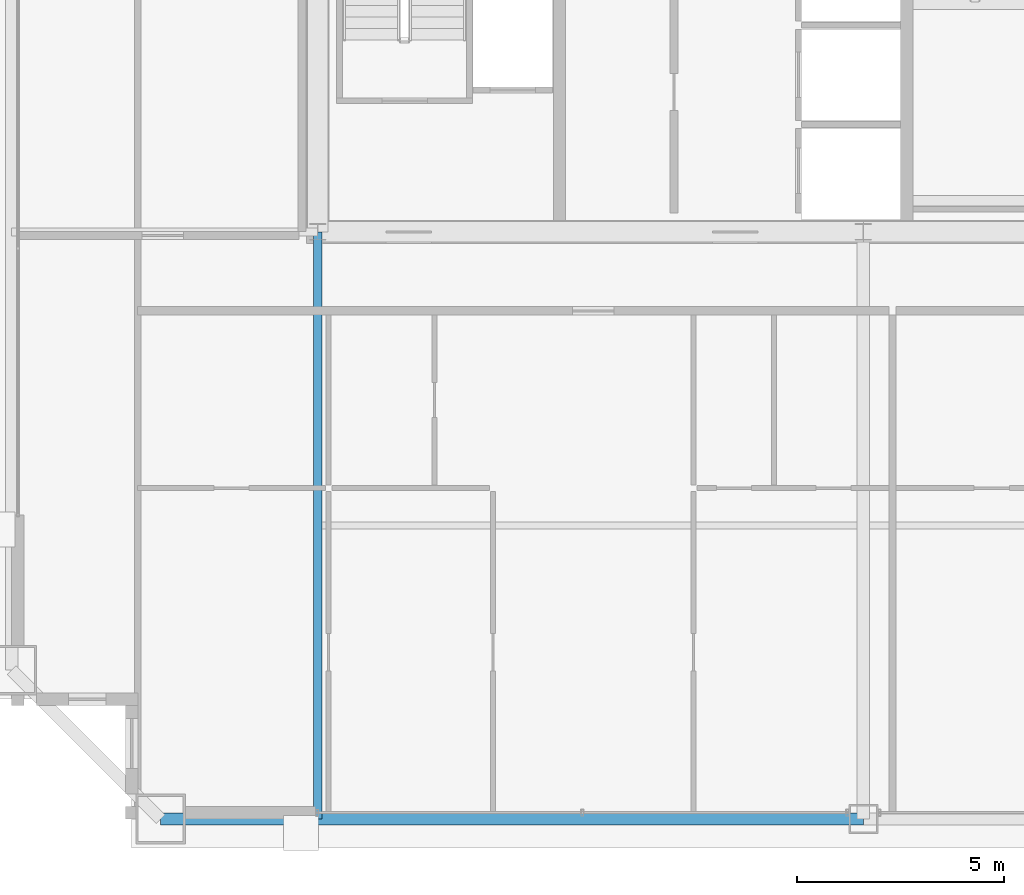
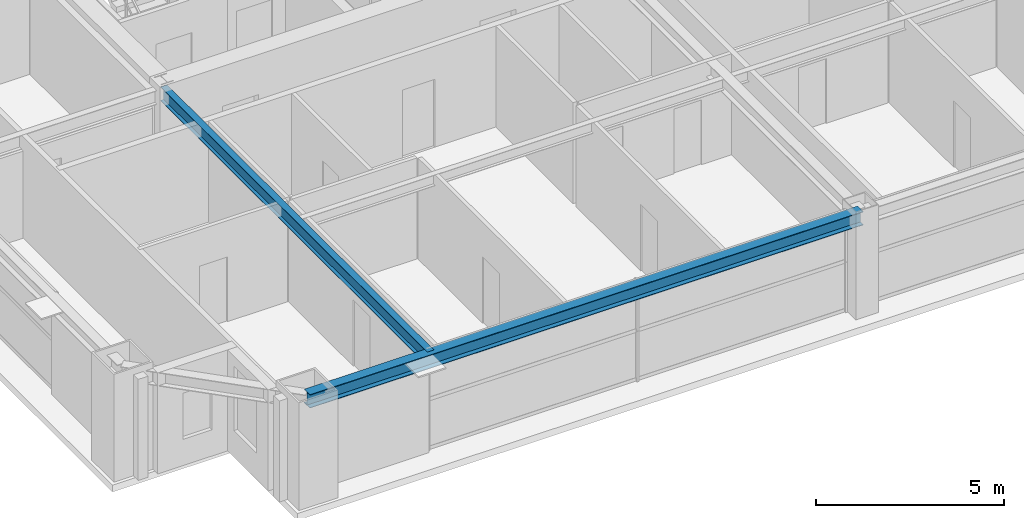
# One storey, part 4 of 36: 2 beams.
"""IFC4 building model written with IfcOpenShell, lengths in metres."""

from ifc_helpers import new_model, si_unit, direction, frame, origin, origin_2d, place, context, subcontext, project, spatial, i_section, extrude, source, transform, mapped, material, material_profile, profile_set, type_object, element, save


model = new_model("IFC4")

# Units and contexts
model_context = context("Model", 3, precision=1e-05, world=origin(), true_north=direction((0.0, 1.0)))
body_context = subcontext(model_context, "Body", "Model", "MODEL_VIEW")
ifc_project = project(units=[si_unit("LENGTHUNIT", "METRE"), si_unit("AREAUNIT", "SQUARE_METRE"), si_unit("VOLUMEUNIT", "CUBIC_METRE"), si_unit("PLANEANGLEUNIT", "RADIAN"), si_unit("MASSUNIT", "GRAM", prefix="KILO"), si_unit("THERMODYNAMICTEMPERATUREUNIT", "KELVIN"), si_unit("POWERUNIT", "WATT")], contexts=[model_context])

# Site, building, storey
site_placement = place(None, origin())
site = spatial("IfcSite", under=ifc_project, at=site_placement, CompositionType="ELEMENT")
building_placement = place(site_placement, origin())
building = spatial("IfcBuilding", under=site, at=building_placement, Name="Yuzanri Waterfront Tower", CompositionType="ELEMENT")
storey_placement = place(building_placement, frame((0.0, 0.0, 224.10009765625)))
storey = spatial("IfcBuildingStorey", under=building, at=storey_placement, Name="L59", CompositionType="ELEMENT", Elevation=224.10009765625)

# Beams
ifc_material_1 = material(Name="Steel Q355B", Category="steel")
ifc_material_profile_1 = material_profile(ifc_material_1, i_section(OverallWidth=0.300048828125, OverallDepth=0.43994140625, WebThickness=0.010986328125, FlangeThickness=0.01806640625, at=origin_2d()), Name="HM 440x300x11x18")
ifc_profile_set_1 = profile_set([ifc_material_profile_1], Name="Steel Q355B")
beam_type_1 = type_object("IfcBeamType", Name="Perimeter Spandrel Q355B HM 440x300", PredefinedType="SPANDREL", material=ifc_profile_set_1)
shared_shape_1 = source(origin(), body_context, "Body", "SweptSolid", [
    extrude(i_section(OverallWidth=0.300048828125, OverallDepth=0.43994140625, WebThickness=0.010986328125, FlangeThickness=0.01806640625, at=origin_2d()), origin(), (0.0, 0.0, 1.0), 17.0),
])
beam_1_placement = place(storey_placement, frame((20.0, 5.199951171875, 3.059814453125), z_axis=(1.0, 0.0, 0.0), x_axis=(0.0, 1.0, 0.0)))
element("IfcBeam", 1, at=beam_1_placement, inside=storey, type_object=beam_type_1, Name="L59 Perimeter Spandrel S1-S2", PredefinedType="SPANDREL", context=body_context, shape_type="MappedRepresentation", body=[
    mapped(shared_shape_1, transform((0.0, 0.0, 0.0), scale=1.0)),
])
ifc_material_2 = material(Name="Steel Q355B", Category="steel")
ifc_material_profile_2 = material_profile(ifc_material_2, i_section(OverallWidth=0.199951171875, OverallDepth=0.449951171875, WebThickness=0.009033203125, FlangeThickness=0.013916015625, at=origin_2d()), Name="HN 450x200x9x14")
ifc_profile_set_2 = profile_set([ifc_material_profile_2], Name="Steel Q355B")
beam_type_2 = type_object("IfcBeamType", Name="Secondary Floor Beam Q355B HN 450x200", PredefinedType="BEAM", material=ifc_profile_set_2)
shared_shape_2 = source(origin(), body_context, "Body", "SweptSolid", [
    extrude(i_section(OverallWidth=0.199951171875, OverallDepth=0.449951171875, WebThickness=0.009033203125, FlangeThickness=0.013916015625, at=origin_2d()), origin(), (0.0, 0.0, 1.0), 14.199951171875),
])
beam_2_placement = place(storey_placement, frame((23.800048828125, 19.39990234375, 3.054931640625), z_axis=(0.0, -1.0, 0.0), x_axis=(1.0, 0.0, 0.0)))
element("IfcBeam", 2, at=beam_2_placement, inside=storey, type_object=beam_type_2, Name="L59 South-West Core Line Beam", PredefinedType="BEAM", context=body_context, shape_type="MappedRepresentation", body=[
    mapped(shared_shape_2, transform((0.0, 0.0, 0.0), scale=1.0)),
])

save(model, "model.ifc")
